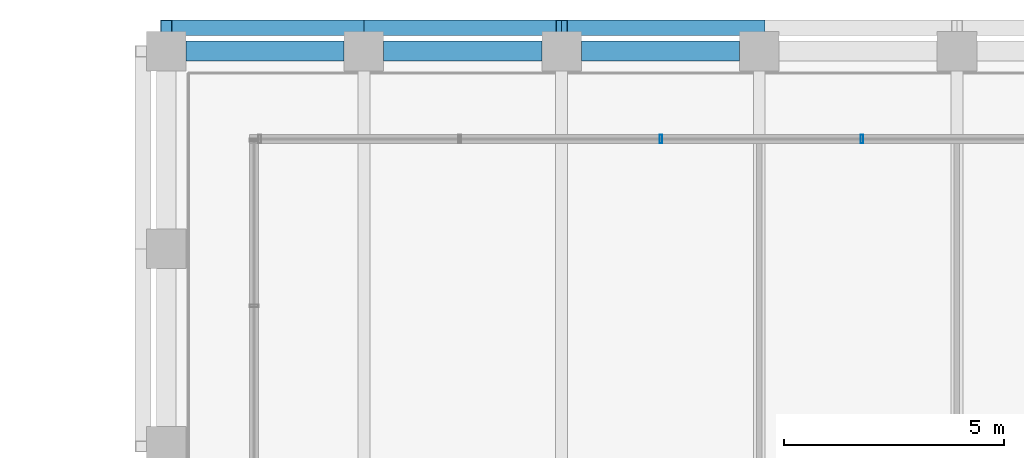
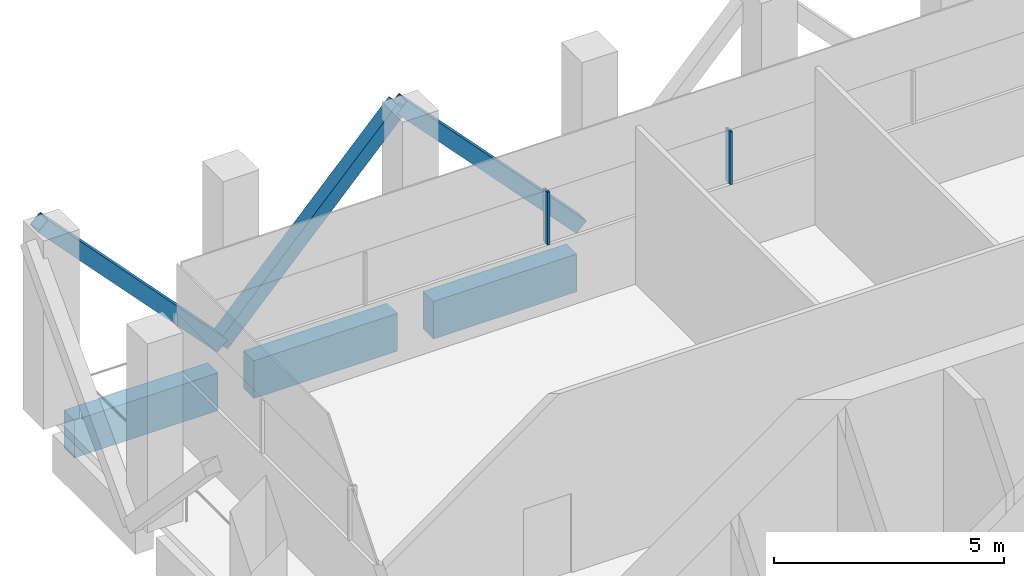
# One storey, part 17 of 34: 5 members, 3 beams, 1 element without a shape of its own.
"""IFC4 building model written with IfcOpenShell, lengths in metres."""

from ifc_helpers import new_model, si_unit, direction, frame, origin, origin_2d, place, context, subcontext, project, spatial, rectangle, hollow_rectangle, extrude, material, material_profile, profile_set, type_object, element, aggregate, save


model = new_model("IFC4")

# Units and contexts
model_context = context("Model", 3, precision=1e-05, world=origin(), true_north=direction((0.0, 1.0)))
body_context = subcontext(model_context, "Body", "Model", "MODEL_VIEW")
ifc_project = project(units=[si_unit("LENGTHUNIT", "METRE"), si_unit("AREAUNIT", "SQUARE_METRE"), si_unit("VOLUMEUNIT", "CUBIC_METRE"), si_unit("PLANEANGLEUNIT", "RADIAN"), si_unit("MASSUNIT", "GRAM", prefix="KILO")], contexts=[model_context])

# Site, building, storey
site_placement = place(None, origin())
site = spatial("IfcSite", under=ifc_project, at=site_placement, CompositionType="ELEMENT")
building_placement = place(site_placement, origin())
building = spatial("IfcBuilding", under=site, at=building_placement, Name="Altepetl Exchange Towers", CompositionType="ELEMENT")
storey_placement = place(building_placement, frame((0.0, 0.0, 190.60009765625)))
storey = spatial("IfcBuildingStorey", under=building, at=storey_placement, Name="L48 Refuge", CompositionType="ELEMENT", Elevation=190.60009765625)

# Members
ifc_material_1 = material(Name="Steel S355", Category="steel")
ifc_material_profile_1 = material_profile(ifc_material_1, hollow_rectangle(XDim=0.35595703125, YDim=0.35595703125, WallThickness=0.014892578125, at=origin_2d()), Name="HSS356X356X15.9")
ifc_profile_set_1 = profile_set([ifc_material_profile_1], Name="Steel S355")
member_type_1 = type_object("IfcMemberType", Name="Belt diagonal HSS356X356X15.9", PredefinedType="BRACE", material=ifc_profile_set_1)
for number, where, z_axis, x_axis, name in (
    (1, (54.0, 72.530029296875, 0.0), (-0.687744647911, 0.0, 0.725952683906), (0.0, -1.0, 0.0), "brc:A:L48:016"),
    (2, (49.5, 72.530029296875, 4.75), (-0.687744647911, 0.0, -0.725952683906), (0.0, -1.0, 0.0), "brc:A:L48:017"),
    (3, (45.0, 72.530029296875, 0.0), (-0.687744647911, 0.0, 0.725952683906), (0.0, -1.0, 0.0), "brc:A:L48:018"),
):
    element("IfcMember", number, at=place(storey_placement, frame(where, z_axis=z_axis, x_axis=x_axis)), inside=storey, type_object=member_type_1, Name=name, PredefinedType="BRACE", context=body_context, shape_type="SweptSolid", body=[
        extrude(hollow_rectangle(XDim=0.35595703125, YDim=0.35595703125, WallThickness=0.014892578125, at=origin_2d()), origin(), (0.0, 0.0, 1.0), 6.543212890625),
    ])

# Curtain wall, members
ifc_material_2 = material(Name="Aluminium 6063-T6 glazing", Category="aluminium")
curtain_wall_type = type_object("IfcCurtainWallType", Name="Refuge slit glazing system", PredefinedType="NOTDEFINED", material=ifc_material_2)
curtain_wall_placement = place(storey_placement, origin())
curtain_wall = element("IfcCurtainWall", 4, at=curtain_wall_placement, inside=storey, type_object=curtain_wall_type, Name="CW3 run", PredefinedType="NOTDEFINED")
ifc_material_3 = material(Name="Aluminium 6063-T6", Category="aluminium")
ifc_material_profile_2 = material_profile(ifc_material_3, hollow_rectangle(XDim=0.06005859375, YDim=0.199951171875, WallThickness=0.0029296875, at=origin_2d()), Name="Mullion 60x200 aluminium")
ifc_profile_set_2 = profile_set([ifc_material_profile_2], Name="Aluminium 6063-T6")
member_type_2 = type_object("IfcMemberType", Name="Mullion 60x200 aluminium", PredefinedType="MULLION", material=ifc_profile_set_2)
member_1_placement = place(storey_placement, frame((56.340087890625, 70.0, 1.7998046875), z_axis=(0.0, 0.0, 1.0), x_axis=(-1.0, 0.0, 0.0)))
member_1 = element("IfcMember", 5, at=member_1_placement, type_object=member_type_2, Name="MU2 mullion", PredefinedType="MULLION", context=body_context, shape_type="SweptSolid", body=[
    extrude(hollow_rectangle(XDim=0.06005859375, YDim=0.199951171875, WallThickness=0.0029296875, at=origin_2d()), origin(), (0.0, 0.0, 1.0), 1.400146484375),
])
member_2_placement = place(storey_placement, frame((51.760009765625, 70.0, 1.7998046875), z_axis=(0.0, 0.0, 1.0), x_axis=(-1.0, 0.0, 0.0)))
member_2 = element("IfcMember", 6, at=member_2_placement, type_object=member_type_2, Name="MU2 mullion", PredefinedType="MULLION", context=body_context, shape_type="SweptSolid", body=[
    extrude(hollow_rectangle(XDim=0.06005859375, YDim=0.199951171875, WallThickness=0.0029296875, at=origin_2d()), origin(), (0.0, 0.0, 1.0), 1.400146484375),
])
aggregate(curtain_wall, [member_1, member_2])

# Beams
ifc_material_4 = material(Name="Concrete C50/60 precast with cantera rosa facing", Category="concrete")
ifc_material_profile_3 = material_profile(ifc_material_4, rectangle(XDim=0.449951171875, YDim=1.0, at=origin_2d()), Name="450 x 1000")
ifc_profile_set_3 = profile_set([ifc_material_profile_3], Name="Concrete C50/60 precast with cantera rosa facing")
beam_type = type_object("IfcBeamType", Name="Spandrel beam 450x1000 cantera rosa", PredefinedType="SPANDREL", material=ifc_profile_set_3)
for number, where, z_axis, x_axis, name in (
    (7, (53.550048828125, 72.0, -0.7001953125), (-1.0, 0.0, 0.0), (0.0, -1.0, 0.0), "sp:A:L48:027"),
    (8, (49.050048828125, 72.0, -0.7001953125), (-1.0, 0.0, 0.0), (0.0, -1.0, 0.0), "sp:A:L48:028"),
    (9, (44.550048828125, 72.0, -0.7001953125), (-1.0, 0.0, 0.0), (0.0, -1.0, 0.0), "sp:A:L48:029"),
):
    element("IfcBeam", number, at=place(storey_placement, frame(where, z_axis=z_axis, x_axis=x_axis)), inside=storey, type_object=beam_type, Name=name, PredefinedType="SPANDREL", context=body_context, shape_type="SweptSolid", body=[
        extrude(rectangle(XDim=0.449951171875, YDim=1.0, at=origin_2d()), origin(), (0.0, 0.0, 1.0), 3.60009765625),
    ])

save(model, "model.ifc")
